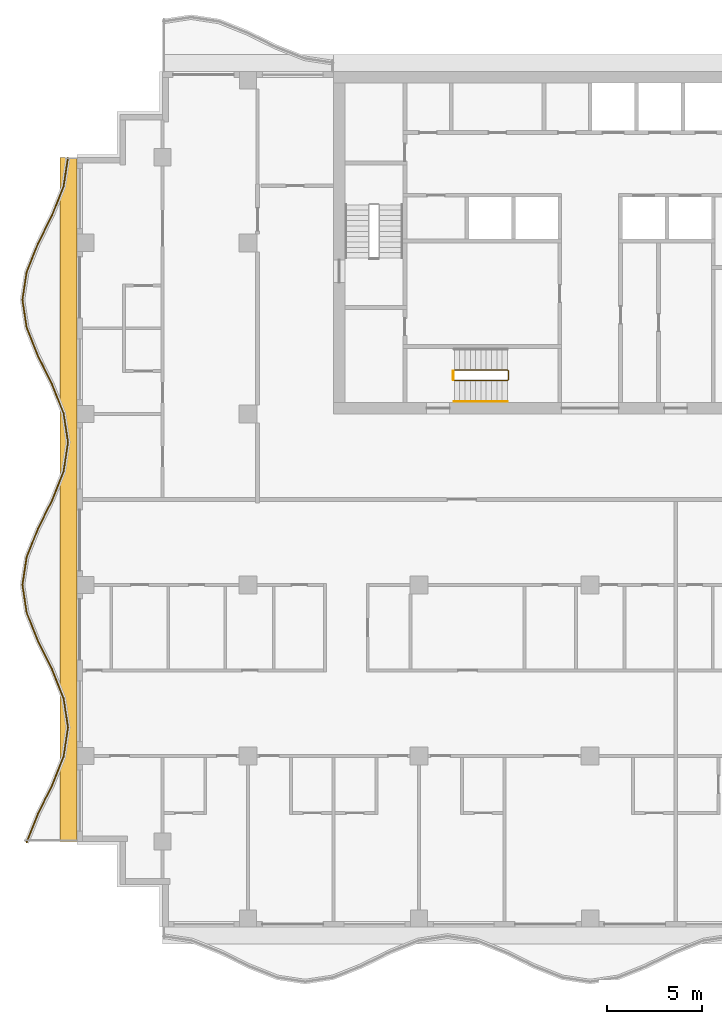
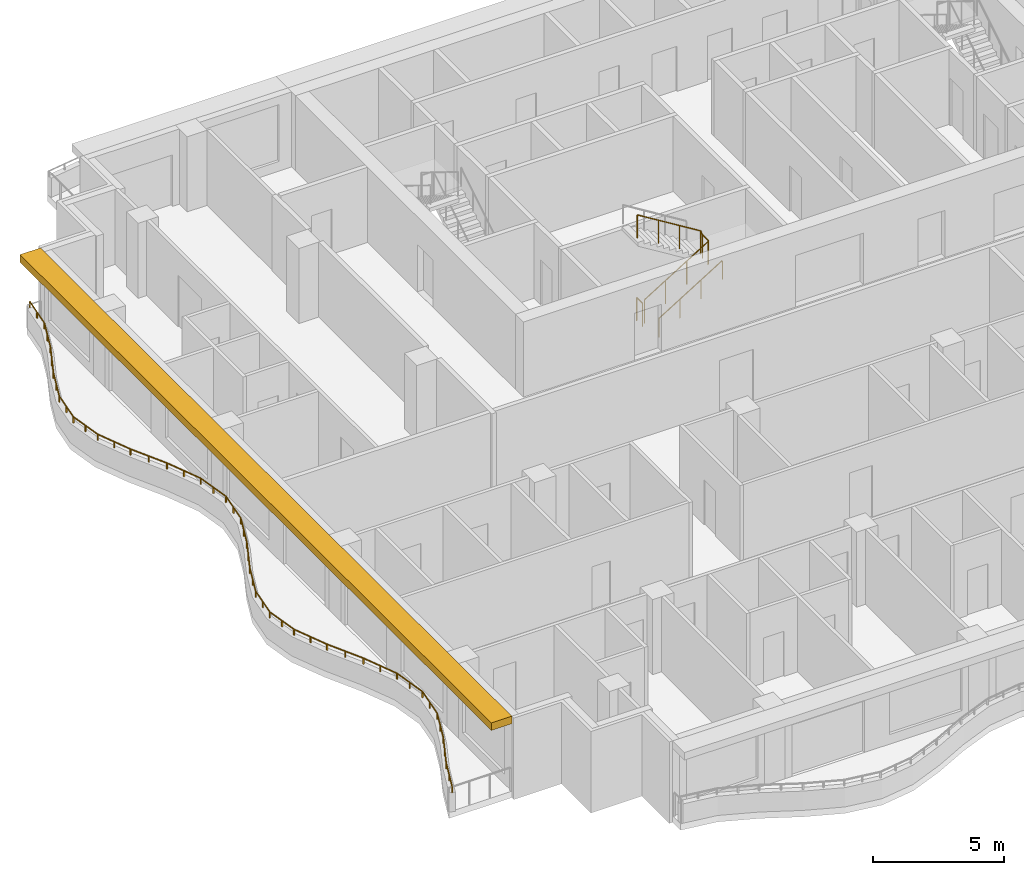
# One storey, part 9 of 12: 4 railings, 1 shading device.
"""IFC4 building model written with IfcOpenShell, lengths in metres."""

from ifc_helpers import new_model, si_unit, direction, frame, origin, origin_2d, place, context, subcontext, project, spatial, polyline, rectangle, circle, outline, extrude, material, layer, layer_set, type_object, element, save


model = new_model("IFC4")

# Units and contexts
model_context = context("Model", 3, precision=1e-05, world=origin(), true_north=direction((0.0, 1.0)))
body_context = subcontext(model_context, "Body", "Model", "MODEL_VIEW")
ifc_project = project(units=[si_unit("LENGTHUNIT", "METRE"), si_unit("AREAUNIT", "SQUARE_METRE"), si_unit("VOLUMEUNIT", "CUBIC_METRE"), si_unit("PLANEANGLEUNIT", "RADIAN"), si_unit("MASSUNIT", "GRAM", prefix="KILO")], contexts=[model_context])

# Site, building, storey
site_placement = place(None, origin())
site = spatial("IfcSite", under=ifc_project, at=site_placement, CompositionType="ELEMENT")
building_placement = place(site_placement, origin())
building = spatial("IfcBuilding", under=site, at=building_placement, Name="Orbiselva Terraces", CompositionType="ELEMENT")
storey_placement = place(building_placement, frame((0.0, 0.0, 265.4)))
storey = spatial("IfcBuildingStorey", under=building, at=storey_placement, Name="L67", CompositionType="ELEMENT", Elevation=265.4)

# Railings
ifc_material_1 = material(Name="Stainless steel", Category="steel")
railing_type_1 = type_object("IfcRailingType", Name="CORE-GUARD-1100", PredefinedType="GUARDRAIL", material=ifc_material_1)
railing_1_placement = place(storey_placement, frame((-7.15, 6.25, 0.172727)))
element("IfcRailing", 1, at=railing_1_placement, inside=storey, type_object=railing_type_1, Name="L67 S3 stair guard 1", PredefinedType="GUARDRAIL", context=body_context, shape_type="SweptSolid", body=[
    extrude(circle(Radius=0.024, at=origin_2d()), frame((0.0, 0.0, 1.081), z_axis=(0.851088519012, 0.0, 0.52502222125), x_axis=(0.0, 1.0, 0.0)), (0.0, 0.0, 1.0), 3.289905),
    extrude(circle(Radius=0.024, at=origin_2d()), frame((2.8, 0.0, 2.808273), z_axis=(0.707106781187, 0.707106781187, 0.0), x_axis=(-0.707106781187, 0.707106781187, 0.0)), (0.0, 0.0, 1.0), 0.070711),
    extrude(circle(Radius=0.024, at=origin_2d()), frame((2.85, 0.05, 2.808273), z_axis=(0.0, 1.0, 0.0), x_axis=(-1.0, 0.0, 0.0)), (0.0, 0.0, 1.0), 0.45),
    extrude(circle(Radius=0.024, at=origin_2d()), frame((2.85, 0.5, 2.808273), z_axis=(-0.267894925557, 0.267894925557, 0.925453736133), x_axis=(-0.707106781187, -0.707106781187, 0.0)), (0.0, 0.0, 1.0), 0.18664),
    extrude(circle(Radius=0.024, at=origin_2d()), frame((2.8, 0.55, 2.981), z_axis=(-0.851088519012, 0.0, 0.52502222125), x_axis=(0.0, -1.0, 0.0)), (0.0, 0.0, 1.0), 3.289905),
    extrude(circle(Radius=0.021, at=origin_2d()), origin(), (0.0, 0.0, 1.0), 1.057),
    extrude(circle(Radius=0.021, at=origin_2d()), frame((0.933333, 0.0, 0.575758)), (0.0, 0.0, 1.0), 1.057),
    extrude(circle(Radius=0.021, at=origin_2d()), frame((1.866667, 0.0, 1.151515)), (0.0, 0.0, 1.0), 1.057),
    extrude(circle(Radius=0.021, at=origin_2d()), frame((2.8, 0.0, 1.727273)), (0.0, 0.0, 1.0), 1.057),
    extrude(circle(Radius=0.021, at=origin_2d()), frame((2.85, 0.05, 1.727273)), (0.0, 0.0, 1.0), 1.057),
    extrude(circle(Radius=0.021, at=origin_2d()), frame((2.85, 0.5, 1.727273)), (0.0, 0.0, 1.0), 1.057),
    extrude(circle(Radius=0.021, at=origin_2d()), frame((2.8, 0.55, 1.9)), (0.0, 0.0, 1.0), 1.057),
    extrude(circle(Radius=0.021, at=origin_2d()), frame((1.866667, 0.55, 2.475758)), (0.0, 0.0, 1.0), 1.057),
    extrude(circle(Radius=0.021, at=origin_2d()), frame((0.933333, 0.55, 3.051515)), (0.0, 0.0, 1.0), 1.057),
    extrude(circle(Radius=0.021, at=origin_2d()), frame((0.0, 0.55, 3.627273)), (0.0, 0.0, 1.0), 1.057),
])
railing_2_placement = place(storey_placement, frame((-7.2, 6.3, 0.0)))
element("IfcRailing", 2, at=railing_2_placement, inside=storey, type_object=railing_type_1, Name="L67 S3 stair guard 2", PredefinedType="GUARDRAIL", context=body_context, shape_type="SweptSolid", body=[
    extrude(circle(Radius=0.024, at=origin_2d()), frame((0.0, 0.0, 1.081), z_axis=(0.0, 1.0, 0.0), x_axis=(-1.0, 0.0, 0.0)), (0.0, 0.0, 1.0), 0.45),
    extrude(circle(Radius=0.021, at=origin_2d()), origin(), (0.0, 0.0, 1.0), 1.057),
    extrude(circle(Radius=0.021, at=origin_2d()), frame((0.0, 0.45, 0.0)), (0.0, 0.0, 1.0), 1.057),
])
railing_type_2 = type_object("IfcRailingType", Name="CORE-HANDRAIL-900", PredefinedType="HANDRAIL", material=ifc_material_1)
railing_3_placement = place(storey_placement, frame((-7.15, 5.15, 0.172727)))
element("IfcRailing", 3, at=railing_3_placement, inside=storey, type_object=railing_type_2, Name="L67 S3 stair handrail 1", PredefinedType="HANDRAIL", context=body_context, shape_type="SweptSolid", body=[
    extrude(circle(Radius=0.024, at=origin_2d()), frame((0.0, 0.0, 0.876), z_axis=(0.851088519012, 0.0, 0.52502222125), x_axis=(0.0, 1.0, 0.0)), (0.0, 0.0, 1.0), 3.289905),
    extrude(circle(Radius=0.021, at=origin_2d()), origin(), (0.0, 0.0, 1.0), 0.852),
    extrude(circle(Radius=0.021, at=origin_2d()), frame((0.933333, 0.0, 0.575758)), (0.0, 0.0, 1.0), 0.852),
    extrude(circle(Radius=0.021, at=origin_2d()), frame((1.866667, 0.0, 1.151515)), (0.0, 0.0, 1.0), 0.852),
    extrude(circle(Radius=0.021, at=origin_2d()), frame((2.8, 0.0, 1.727273)), (0.0, 0.0, 1.0), 0.852),
])
ifc_material_2 = material(Name="Bonded two-ply safety glass balustrade, stainless steel posts", Category="steel")
railing_type_3 = type_object("IfcRailingType", Name="ENV-BALUSTRADE-1200", PredefinedType="BALUSTRADE", material=ifc_material_2)
railing_4_placement = place(storey_placement, frame((-27.476434, 17.981121, 0.9)))
element("IfcRailing", 4, at=railing_4_placement, inside=storey, type_object=railing_type_3, Name="Balcony balustrade L67 W", PredefinedType="BALUSTRADE", context=body_context, shape_type="SweptSolid", body=[
    extrude(outline(polyline([(0.028868, 0.0), (0.014434, 0.025), (-0.014434, 0.025), (-0.028868, 0.0), (-0.014434, -0.025), (0.014434, -0.025), (0.028868, 0.0)])), frame((0.0, 0.0, 0.275), z_axis=(-0.151033869252, -0.988528588529, 0.0), x_axis=(0.988528588529, -0.151033869252, 0.0)), (0.0, 0.0, 1.0), 1.531776),
    extrude(outline(polyline([(0.028868, 0.0), (0.014434, 0.025), (-0.014434, 0.025), (-0.028868, 0.0), (-0.014434, -0.025), (0.014434, -0.025), (0.028868, 0.0)])), frame((-0.23135, -1.514204, 0.275), z_axis=(-0.371390359967, -0.92847681744, 0.0), x_axis=(0.92847681744, -0.371390359967, 0.0)), (0.0, 0.0, 1.0), 1.634838),
    extrude(outline(polyline([(0.028868, 0.0), (0.014434, 0.025), (-0.014434, 0.025), (-0.028868, 0.0), (-0.014434, -0.025), (0.014434, -0.025), (0.028868, 0.0)])), frame((-0.838513, -3.032113, 0.275), z_axis=(-0.443212307306, -0.896416672454, 0.0), x_axis=(0.896416672454, -0.443212307306, 0.0)), (0.0, 0.0, 1.0), 1.673329),
    extrude(outline(polyline([(0.028868, 0.0), (0.014434, 0.025), (-0.014434, 0.025), (-0.028868, 0.0), (-0.014434, -0.025), (0.014434, -0.025), (0.028868, 0.0)])), frame((-1.580153, -4.532113, 0.275), z_axis=(-0.371391000387, -0.928476561272, 0.0), x_axis=(0.928476561272, -0.371391000387, 0.0)), (0.0, 0.0, 1.0), 1.596261),
    extrude(outline(polyline([(0.028868, 0.0), (0.014434, 0.025), (-0.014434, 0.025), (-0.028868, 0.0), (-0.014434, -0.025), (0.014434, -0.025), (0.028868, 0.0)])), frame((-2.17299, -6.014204, 0.275), z_axis=(-0.151033749027, -0.988528606898, 0.0), x_axis=(0.988528606898, -0.151033749027, 0.0)), (0.0, 0.0, 1.0), 1.48394),
    extrude(outline(polyline([(0.028868, 0.0), (0.014434, 0.025), (-0.014434, 0.025), (-0.028868, 0.0), (-0.014434, -0.025), (0.014434, -0.025), (0.028868, 0.0)])), frame((-2.397115, -7.481121, 0.275), z_axis=(0.151033749027, -0.988528606898, 0.0), x_axis=(0.988528606898, 0.151033749027, 0.0)), (0.0, 0.0, 1.0), 1.48394),
    extrude(outline(polyline([(0.028868, 0.0), (0.014434, 0.025), (-0.014434, 0.025), (-0.028868, 0.0), (-0.014434, -0.025), (0.014434, -0.025), (0.028868, 0.0)])), frame((-2.17299, -8.948038, 0.275), z_axis=(0.371391000387, -0.928476561272, 0.0), x_axis=(0.928476561272, 0.371391000387, 0.0)), (0.0, 0.0, 1.0), 1.596261),
    extrude(outline(polyline([(0.028868, 0.0), (0.014434, 0.025), (-0.014434, 0.025), (-0.028868, 0.0), (-0.014434, -0.025), (0.014434, -0.025), (0.028868, 0.0)])), frame((-1.580153, -10.430129, 0.275), z_axis=(0.443212307306, -0.896416672454, 0.0), x_axis=(0.896416672454, 0.443212307306, 0.0)), (0.0, 0.0, 1.0), 1.673329),
    extrude(outline(polyline([(0.028868, 0.0), (0.014434, 0.025), (-0.014434, 0.025), (-0.028868, 0.0), (-0.014434, -0.025), (0.014434, -0.025), (0.028868, 0.0)])), frame((-0.838513, -11.930129, 0.275), z_axis=(0.371390359967, -0.92847681744, 0.0), x_axis=(0.92847681744, 0.371390359967, 0.0)), (0.0, 0.0, 1.0), 1.634838),
    extrude(outline(polyline([(0.028868, 0.0), (0.014434, 0.025), (-0.014434, 0.025), (-0.028868, 0.0), (-0.014434, -0.025), (0.014434, -0.025), (0.028868, 0.0)])), frame((-0.23135, -13.448038, 0.275), z_axis=(0.151034211256, -0.988528536275, 0.0), x_axis=(0.988528536275, 0.151034211256, 0.0)), (0.0, 0.0, 1.0), 1.550874),
    extrude(outline(polyline([(0.028868, 0.0), (0.014434, 0.025), (-0.014434, 0.025), (-0.028868, 0.0), (-0.014434, -0.025), (0.014434, -0.025), (0.028868, 0.0)])), frame((0.002885, -14.981121, 0.275), z_axis=(-0.151034211256, -0.988528536275, 0.0), x_axis=(0.988528536275, -0.151034211256, 0.0)), (0.0, 0.0, 1.0), 1.550874),
    extrude(outline(polyline([(0.028868, 0.0), (0.014434, 0.025), (-0.014434, 0.025), (-0.028868, 0.0), (-0.014434, -0.025), (0.014434, -0.025), (0.028868, 0.0)])), frame((-0.23135, -16.514204, 0.275), z_axis=(-0.371390359967, -0.92847681744, 0.0), x_axis=(0.92847681744, -0.371390359967, 0.0)), (0.0, 0.0, 1.0), 1.634838),
    extrude(outline(polyline([(0.028868, 0.0), (0.014434, 0.025), (-0.014434, 0.025), (-0.028868, 0.0), (-0.014434, -0.025), (0.014434, -0.025), (0.028868, 0.0)])), frame((-0.838513, -18.032113, 0.275), z_axis=(-0.443212307306, -0.896416672454, 0.0), x_axis=(0.896416672454, -0.443212307306, 0.0)), (0.0, 0.0, 1.0), 1.673329),
    extrude(outline(polyline([(0.028868, 0.0), (0.014434, 0.025), (-0.014434, 0.025), (-0.028868, 0.0), (-0.014434, -0.025), (0.014434, -0.025), (0.028868, 0.0)])), frame((-1.580153, -19.532113, 0.275), z_axis=(-0.371391000387, -0.928476561272, 0.0), x_axis=(0.928476561272, -0.371391000387, 0.0)), (0.0, 0.0, 1.0), 1.596261),
    extrude(outline(polyline([(0.028868, 0.0), (0.014434, 0.025), (-0.014434, 0.025), (-0.028868, 0.0), (-0.014434, -0.025), (0.014434, -0.025), (0.028868, 0.0)])), frame((-2.17299, -21.014204, 0.275), z_axis=(-0.151033749027, -0.988528606898, 0.0), x_axis=(0.988528606898, -0.151033749027, 0.0)), (0.0, 0.0, 1.0), 1.48394),
    extrude(outline(polyline([(0.028868, 0.0), (0.014434, 0.025), (-0.014434, 0.025), (-0.028868, 0.0), (-0.014434, -0.025), (0.014434, -0.025), (0.028868, 0.0)])), frame((-2.397115, -22.481121, 0.275), z_axis=(0.151033749027, -0.988528606898, 0.0), x_axis=(0.988528606898, 0.151033749027, 0.0)), (0.0, 0.0, 1.0), 1.48394),
    extrude(outline(polyline([(0.028868, 0.0), (0.014434, 0.025), (-0.014434, 0.025), (-0.028868, 0.0), (-0.014434, -0.025), (0.014434, -0.025), (0.028868, 0.0)])), frame((-2.17299, -23.948038, 0.275), z_axis=(0.371391000387, -0.928476561272, 0.0), x_axis=(0.928476561272, 0.371391000387, 0.0)), (0.0, 0.0, 1.0), 1.596261),
    extrude(outline(polyline([(0.028868, 0.0), (0.014434, 0.025), (-0.014434, 0.025), (-0.028868, 0.0), (-0.014434, -0.025), (0.014434, -0.025), (0.028868, 0.0)])), frame((-1.580153, -25.430129, 0.275), z_axis=(0.443212307306, -0.896416672454, 0.0), x_axis=(0.896416672454, 0.443212307306, 0.0)), (0.0, 0.0, 1.0), 1.673329),
    extrude(outline(polyline([(0.028868, 0.0), (0.014434, 0.025), (-0.014434, 0.025), (-0.028868, 0.0), (-0.014434, -0.025), (0.014434, -0.025), (0.028868, 0.0)])), frame((-0.838513, -26.930129, 0.275), z_axis=(0.371390359967, -0.92847681744, 0.0), x_axis=(0.92847681744, 0.371390359967, 0.0)), (0.0, 0.0, 1.0), 1.634838),
    extrude(outline(polyline([(0.028868, 0.0), (0.014434, 0.025), (-0.014434, 0.025), (-0.028868, 0.0), (-0.014434, -0.025), (0.014434, -0.025), (0.028868, 0.0)])), frame((-0.23135, -28.448038, 0.275), z_axis=(0.151034211256, -0.988528536275, 0.0), x_axis=(0.988528536275, 0.151034211256, 0.0)), (0.0, 0.0, 1.0), 1.550874),
    extrude(outline(polyline([(0.028868, 0.0), (0.014434, 0.025), (-0.014434, 0.025), (-0.028868, 0.0), (-0.014434, -0.025), (0.014434, -0.025), (0.028868, 0.0)])), frame((0.002885, -29.981121, 0.275), z_axis=(-0.151034211256, -0.988528536275, 0.0), x_axis=(0.988528536275, -0.151034211256, 0.0)), (0.0, 0.0, 1.0), 1.550874),
    extrude(outline(polyline([(0.028868, 0.0), (0.014434, 0.025), (-0.014434, 0.025), (-0.028868, 0.0), (-0.014434, -0.025), (0.014434, -0.025), (0.028868, 0.0)])), frame((-0.23135, -31.514204, 0.275), z_axis=(-0.371390359967, -0.92847681744, 0.0), x_axis=(0.92847681744, -0.371390359967, 0.0)), (0.0, 0.0, 1.0), 1.634838),
    extrude(outline(polyline([(0.028868, 0.0), (0.014434, 0.025), (-0.014434, 0.025), (-0.028868, 0.0), (-0.014434, -0.025), (0.014434, -0.025), (0.028868, 0.0)])), frame((-0.838513, -33.032113, 0.275), z_axis=(-0.443212307306, -0.896416672454, 0.0), x_axis=(0.896416672454, -0.443212307306, 0.0)), (0.0, 0.0, 1.0), 1.673329),
    extrude(outline(polyline([(0.028868, 0.0), (0.014434, 0.025), (-0.014434, 0.025), (-0.028868, 0.0), (-0.014434, -0.025), (0.014434, -0.025), (0.028868, 0.0)])), frame((-1.580153, -34.532113, 0.275), z_axis=(-0.371390783402, -0.928476648066, 0.0), x_axis=(0.928476648066, -0.371390783402, 0.0)), (0.0, 0.0, 1.0), 1.61063),
    extrude(rectangle(XDim=0.05, YDim=0.05, at=origin_2d()), origin(), (0.0, 0.0, 1.0), 0.25),
    extrude(rectangle(XDim=0.05, YDim=0.05, at=origin_2d()), frame((-0.115675, -0.757102, 0.0)), (0.0, 0.0, 1.0), 0.25),
    extrude(rectangle(XDim=0.05, YDim=0.05, at=origin_2d()), frame((-0.23135, -1.514204, 0.0)), (0.0, 0.0, 1.0), 0.25),
    extrude(rectangle(XDim=0.05, YDim=0.05, at=origin_2d()), frame((-0.534931, -2.273159, 0.0)), (0.0, 0.0, 1.0), 0.25),
    extrude(rectangle(XDim=0.05, YDim=0.05, at=origin_2d()), frame((-0.838513, -3.032113, 0.0)), (0.0, 0.0, 1.0), 0.25),
    extrude(rectangle(XDim=0.05, YDim=0.05, at=origin_2d()), frame((-1.209333, -3.782113, 0.0)), (0.0, 0.0, 1.0), 0.25),
    extrude(rectangle(XDim=0.05, YDim=0.05, at=origin_2d()), frame((-1.580153, -4.532113, 0.0)), (0.0, 0.0, 1.0), 0.25),
    extrude(rectangle(XDim=0.05, YDim=0.05, at=origin_2d()), frame((-1.876571, -5.273159, 0.0)), (0.0, 0.0, 1.0), 0.25),
    extrude(rectangle(XDim=0.05, YDim=0.05, at=origin_2d()), frame((-2.17299, -6.014204, 0.0)), (0.0, 0.0, 1.0), 0.25),
    extrude(rectangle(XDim=0.05, YDim=0.05, at=origin_2d()), frame((-2.285052, -6.747663, 0.0)), (0.0, 0.0, 1.0), 0.25),
    extrude(rectangle(XDim=0.05, YDim=0.05, at=origin_2d()), frame((-2.397115, -7.481121, 0.0)), (0.0, 0.0, 1.0), 0.25),
    extrude(rectangle(XDim=0.05, YDim=0.05, at=origin_2d()), frame((-2.285052, -8.21458, 0.0)), (0.0, 0.0, 1.0), 0.25),
    extrude(rectangle(XDim=0.05, YDim=0.05, at=origin_2d()), frame((-2.17299, -8.948038, 0.0)), (0.0, 0.0, 1.0), 0.25),
    extrude(rectangle(XDim=0.05, YDim=0.05, at=origin_2d()), frame((-1.876571, -9.689084, 0.0)), (0.0, 0.0, 1.0), 0.25),
    extrude(rectangle(XDim=0.05, YDim=0.05, at=origin_2d()), frame((-1.580153, -10.430129, 0.0)), (0.0, 0.0, 1.0), 0.25),
    extrude(rectangle(XDim=0.05, YDim=0.05, at=origin_2d()), frame((-1.209333, -11.180129, 0.0)), (0.0, 0.0, 1.0), 0.25),
    extrude(rectangle(XDim=0.05, YDim=0.05, at=origin_2d()), frame((-0.838513, -11.930129, 0.0)), (0.0, 0.0, 1.0), 0.25),
    extrude(rectangle(XDim=0.05, YDim=0.05, at=origin_2d()), frame((-0.534931, -12.689084, 0.0)), (0.0, 0.0, 1.0), 0.25),
    extrude(rectangle(XDim=0.05, YDim=0.05, at=origin_2d()), frame((-0.23135, -13.448038, 0.0)), (0.0, 0.0, 1.0), 0.25),
    extrude(rectangle(XDim=0.05, YDim=0.05, at=origin_2d()), frame((-0.114232, -14.21458, 0.0)), (0.0, 0.0, 1.0), 0.25),
    extrude(rectangle(XDim=0.05, YDim=0.05, at=origin_2d()), frame((0.002885, -14.981121, 0.0)), (0.0, 0.0, 1.0), 0.25),
    extrude(rectangle(XDim=0.05, YDim=0.05, at=origin_2d()), frame((-0.114232, -15.747663, 0.0)), (0.0, 0.0, 1.0), 0.25),
    extrude(rectangle(XDim=0.05, YDim=0.05, at=origin_2d()), frame((-0.23135, -16.514204, 0.0)), (0.0, 0.0, 1.0), 0.25),
    extrude(rectangle(XDim=0.05, YDim=0.05, at=origin_2d()), frame((-0.534931, -17.273158, 0.0)), (0.0, 0.0, 1.0), 0.25),
    extrude(rectangle(XDim=0.05, YDim=0.05, at=origin_2d()), frame((-0.838513, -18.032113, 0.0)), (0.0, 0.0, 1.0), 0.25),
    extrude(rectangle(XDim=0.05, YDim=0.05, at=origin_2d()), frame((-1.209333, -18.782113, 0.0)), (0.0, 0.0, 1.0), 0.25),
    extrude(rectangle(XDim=0.05, YDim=0.05, at=origin_2d()), frame((-1.580153, -19.532113, 0.0)), (0.0, 0.0, 1.0), 0.25),
    extrude(rectangle(XDim=0.05, YDim=0.05, at=origin_2d()), frame((-1.876571, -20.273158, 0.0)), (0.0, 0.0, 1.0), 0.25),
    extrude(rectangle(XDim=0.05, YDim=0.05, at=origin_2d()), frame((-2.17299, -21.014204, 0.0)), (0.0, 0.0, 1.0), 0.25),
    extrude(rectangle(XDim=0.05, YDim=0.05, at=origin_2d()), frame((-2.285052, -21.747663, 0.0)), (0.0, 0.0, 1.0), 0.25),
    extrude(rectangle(XDim=0.05, YDim=0.05, at=origin_2d()), frame((-2.397115, -22.481121, 0.0)), (0.0, 0.0, 1.0), 0.25),
    extrude(rectangle(XDim=0.05, YDim=0.05, at=origin_2d()), frame((-2.285052, -23.21458, 0.0)), (0.0, 0.0, 1.0), 0.25),
    extrude(rectangle(XDim=0.05, YDim=0.05, at=origin_2d()), frame((-2.17299, -23.948038, 0.0)), (0.0, 0.0, 1.0), 0.25),
    extrude(rectangle(XDim=0.05, YDim=0.05, at=origin_2d()), frame((-1.876571, -24.689084, 0.0)), (0.0, 0.0, 1.0), 0.25),
    extrude(rectangle(XDim=0.05, YDim=0.05, at=origin_2d()), frame((-1.580153, -25.430129, 0.0)), (0.0, 0.0, 1.0), 0.25),
    extrude(rectangle(XDim=0.05, YDim=0.05, at=origin_2d()), frame((-1.209333, -26.180129, 0.0)), (0.0, 0.0, 1.0), 0.25),
    extrude(rectangle(XDim=0.05, YDim=0.05, at=origin_2d()), frame((-0.838513, -26.930129, 0.0)), (0.0, 0.0, 1.0), 0.25),
    extrude(rectangle(XDim=0.05, YDim=0.05, at=origin_2d()), frame((-0.534931, -27.689084, 0.0)), (0.0, 0.0, 1.0), 0.25),
    extrude(rectangle(XDim=0.05, YDim=0.05, at=origin_2d()), frame((-0.23135, -28.448038, 0.0)), (0.0, 0.0, 1.0), 0.25),
    extrude(rectangle(XDim=0.05, YDim=0.05, at=origin_2d()), frame((-0.114232, -29.21458, 0.0)), (0.0, 0.0, 1.0), 0.25),
    extrude(rectangle(XDim=0.05, YDim=0.05, at=origin_2d()), frame((0.002885, -29.981121, 0.0)), (0.0, 0.0, 1.0), 0.25),
    extrude(rectangle(XDim=0.05, YDim=0.05, at=origin_2d()), frame((-0.114232, -30.747662, 0.0)), (0.0, 0.0, 1.0), 0.25),
    extrude(rectangle(XDim=0.05, YDim=0.05, at=origin_2d()), frame((-0.23135, -31.514204, 0.0)), (0.0, 0.0, 1.0), 0.25),
    extrude(rectangle(XDim=0.05, YDim=0.05, at=origin_2d()), frame((-0.534931, -32.273158, 0.0)), (0.0, 0.0, 1.0), 0.25),
    extrude(rectangle(XDim=0.05, YDim=0.05, at=origin_2d()), frame((-0.838513, -33.032113, 0.0)), (0.0, 0.0, 1.0), 0.25),
    extrude(rectangle(XDim=0.05, YDim=0.05, at=origin_2d()), frame((-1.209333, -33.782113, 0.0)), (0.0, 0.0, 1.0), 0.25),
    extrude(rectangle(XDim=0.05, YDim=0.05, at=origin_2d()), frame((-1.580153, -34.532113, 0.0)), (0.0, 0.0, 1.0), 0.25),
    extrude(rectangle(XDim=0.05, YDim=0.05, at=origin_2d()), frame((-1.879239, -35.279829, 0.0)), (0.0, 0.0, 1.0), 0.25),
    extrude(rectangle(XDim=0.05, YDim=0.05, at=origin_2d()), frame((-2.178326, -36.027545, 0.0)), (0.0, 0.0, 1.0), 0.25),
])

# Shading device
ifc_material_3 = material(Name="Terracotta baguette sunshade", Category="masonry")
ifc_layer = layer(ifc_material_3, 0.35)
ifc_layer_set = layer_set([ifc_layer], Name="Terracotta baguette sunshade")
shading_device_type = type_object("IfcShadingDeviceType", Name="ENV-SUNSHADE-900x350", PredefinedType="USERDEFINED", material=ifc_layer_set)
shading_device_placement = place(storey_placement, frame((0.0, 0.0, 3.15)))
element("IfcShadingDevice", 5, at=shading_device_placement, inside=storey, type_object=shading_device_type, Name="Sunshade band L67 W", ObjectType="SUNSHADE", PredefinedType="USERDEFINED", context=body_context, shape_type="SweptSolid", body=[
    extrude(outline(polyline([(-27.9, 18.0), (-27.9, -18.0), (-27.0, -18.0), (-27.0, 18.0), (-27.9, 18.0)])), origin(), (0.0, 0.0, 1.0), 0.35),
])

save(model, "model.ifc")
